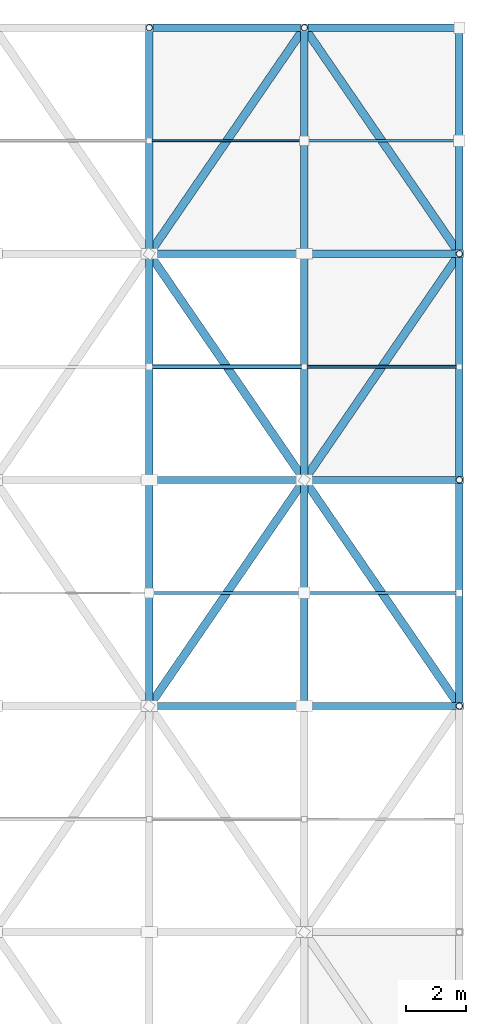
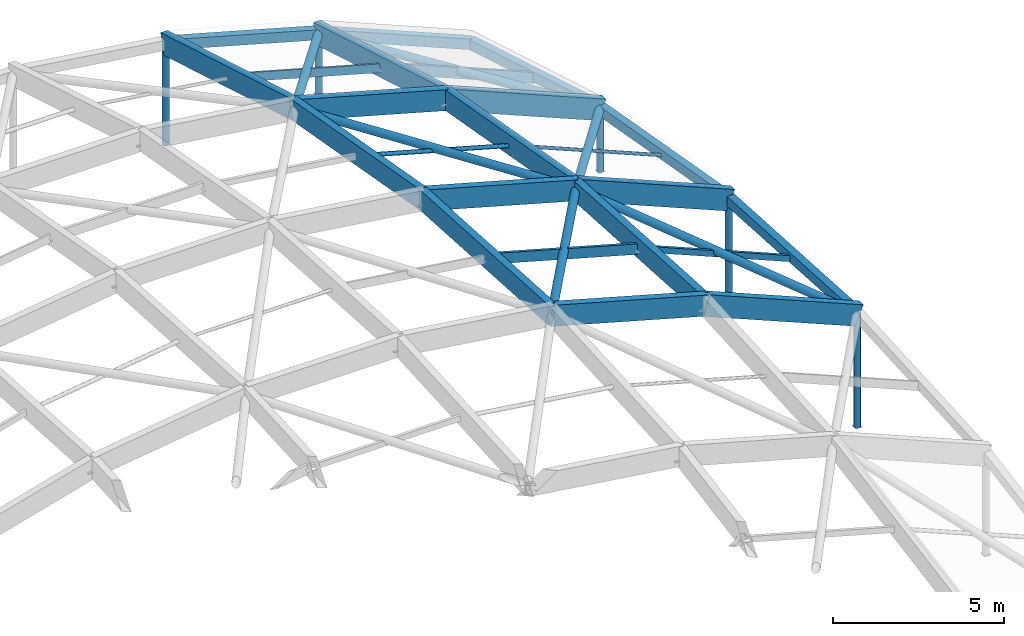
# One storey, part 46 of 81: 34 members.
"""IFC4 building model written with IfcOpenShell, lengths in metres."""

from ifc_helpers import new_model, si_unit, direction, frame, origin, origin_2d, place, context, subcontext, project, spatial, rectangle, hollow_rectangle, hollow_circle, extrude, material, material_profile, profile_set, type_object, element, save


model = new_model("IFC4")

# Units and contexts
model_context = context("Model", 3, precision=1e-05, world=origin(), true_north=direction((0.0, 1.0)))
body_context = subcontext(model_context, "Body", "Model", "MODEL_VIEW")
ifc_project = project(units=[si_unit("LENGTHUNIT", "METRE"), si_unit("AREAUNIT", "SQUARE_METRE"), si_unit("VOLUMEUNIT", "CUBIC_METRE"), si_unit("PLANEANGLEUNIT", "RADIAN"), si_unit("MASSUNIT", "GRAM", prefix="KILO")], contexts=[model_context])

# Site, building, storey
site_placement = place(None, origin())
site = spatial("IfcSite", under=ifc_project, at=site_placement, CompositionType="ELEMENT")
building_placement = place(site_placement, origin())
building = spatial("IfcBuilding", under=site, at=building_placement, Name="Marnridge Secondary College", CompositionType="ELEMENT")
storey_placement = place(building_placement, frame((0.0, 0.0, 8.5)))
storey = spatial("IfcBuildingStorey", under=building, at=storey_placement, Name="L02", CompositionType="ELEMENT", Elevation=8.5)

# Members
ifc_material_1 = material(Name="Cold-formed steel Grade C350L0 (AS/NZS 1163, fy = 350 MPa)", Category="steel")
ifc_material_profile_1 = material_profile(ifc_material_1, hollow_circle(Radius=0.109619140625, WallThickness=0.00830078125, at=origin_2d()), Name="219.1x8.2CHS")
ifc_profile_set_1 = profile_set([ifc_material_profile_1], Name="Cold-formed steel Grade C350L0 (AS/NZS 1163, fy = 350 MPa)")
member_type_1 = type_object("IfcMemberType", Name="MB-GS-CHS219", PredefinedType="BRACE", material=ifc_profile_set_1)
member_1_placement = place(storey_placement, frame((160.71435546875, 120.0, 0.090087890625), z_axis=(0.0, 0.0, 1.0), x_axis=(1.0, 0.0, 0.0)))
element("IfcMember", 1, at=member_1_placement, inside=storey, type_object=member_type_1, Name="Gridshell boundary post GSP-0015", PredefinedType="BRACE", context=body_context, shape_type="SweptSolid", body=[
    extrude(hollow_circle(Radius=0.109619140625, WallThickness=0.00830078125, at=origin_2d()), origin(), (0.0, 0.0, 1.0), 3.621826171875),
])
member_2_placement = place(storey_placement, frame((165.857177734375, 120.0, 0.090087890625), z_axis=(0.0, 0.0, 1.0), x_axis=(1.0, 0.0, 0.0)))
element("IfcMember", 2, at=member_2_placement, inside=storey, type_object=member_type_1, Name="Gridshell boundary post GSP-0017", PredefinedType="BRACE", context=body_context, shape_type="SweptSolid", body=[
    extrude(hollow_circle(Radius=0.109619140625, WallThickness=0.00830078125, at=origin_2d()), origin(), (0.0, 0.0, 1.0), 2.18505859375),
])
member_3_placement = place(storey_placement, frame((171.0, 97.5, 0.090087890625), z_axis=(0.0, 0.0, 1.0), x_axis=(1.0, 0.0, 0.0)))
element("IfcMember", 3, at=member_3_placement, inside=storey, type_object=member_type_1, Name="Gridshell boundary post GSP-0020", PredefinedType="BRACE", context=body_context, shape_type="SweptSolid", body=[
    extrude(hollow_circle(Radius=0.109619140625, WallThickness=0.00830078125, at=origin_2d()), origin(), (0.0, 0.0, 1.0), 4.030029296875),
])
member_4_placement = place(storey_placement, frame((171.0, 105.0, 0.090087890625), z_axis=(0.0, 0.0, 1.0), x_axis=(1.0, 0.0, 0.0)))
element("IfcMember", 4, at=member_4_placement, inside=storey, type_object=member_type_1, Name="Gridshell boundary post GSP-0021", PredefinedType="BRACE", context=body_context, shape_type="SweptSolid", body=[
    extrude(hollow_circle(Radius=0.109619140625, WallThickness=0.00830078125, at=origin_2d()), origin(), (0.0, 0.0, 1.0), 3.58544921875),
])
member_5_placement = place(storey_placement, frame((171.0, 112.5, 0.090087890625), z_axis=(0.0, 0.0, 1.0), x_axis=(1.0, 0.0, 0.0)))
element("IfcMember", 5, at=member_5_placement, inside=storey, type_object=member_type_1, Name="Gridshell boundary post GSP-0022", PredefinedType="BRACE", context=body_context, shape_type="SweptSolid", body=[
    extrude(hollow_circle(Radius=0.109619140625, WallThickness=0.00830078125, at=origin_2d()), origin(), (0.0, 0.0, 1.0), 2.252197265625),
])
ifc_material_2 = material(Name="Cold-formed steel Grade C350L0 (AS/NZS 1163, fy = 350 MPa)", Category="steel")
ifc_material_profile_2 = material_profile(ifc_material_2, hollow_circle(Radius=0.136474609375, WallThickness=0.00927734375, at=origin_2d()), Name="273.1x9.3CHS")
ifc_profile_set_2 = profile_set([ifc_material_profile_2], Name="Cold-formed steel Grade C350L0 (AS/NZS 1163, fy = 350 MPa)")
member_type_2 = type_object("IfcMemberType", Name="MB-GS-CHS273", PredefinedType="BRACE", material=ifc_profile_set_2)
member_6_placement = place(storey_placement, frame((160.71435546875, 97.5, 7.69189453125), z_axis=(0.553801674048, 0.807632918432, -0.20256548296), x_axis=(-0.824730640628, 0.565525746902, 0.0)))
element("IfcMember", 6, at=member_6_placement, inside=storey, type_object=member_type_2, Name="Gridshell member GR-0131", PredefinedType="BRACE", context=body_context, shape_type="SweptSolid", body=[
    extrude(hollow_circle(Radius=0.136474609375, WallThickness=0.00927734375, at=origin_2d()), origin(), (0.0, 0.0, 1.0), 9.286376953125),
])
member_7_placement = place(storey_placement, frame((165.857177734375, 105.0, 5.810791015625), z_axis=(-0.565489284695, 0.824677466215, 0.011355422142), x_axis=(-0.824730640628, -0.565525746902, 0.0)))
element("IfcMember", 7, at=member_7_placement, inside=storey, type_object=member_type_2, Name="Gridshell member GR-0132", PredefinedType="BRACE", context=body_context, shape_type="SweptSolid", body=[
    extrude(hollow_circle(Radius=0.136474609375, WallThickness=0.00927734375, at=origin_2d()), origin(), (0.0, 0.0, 1.0), 9.094482421875),
])
member_8_placement = place(storey_placement, frame((160.71435546875, 112.5, 5.9140625), z_axis=(0.524650977218, 0.765121197253, -0.37327055284), x_axis=(-0.824730640628, 0.565525746902, 0.0)))
element("IfcMember", 8, at=member_8_placement, inside=storey, type_object=member_type_2, Name="Gridshell member GR-0133", PredefinedType="BRACE", context=body_context, shape_type="SweptSolid", body=[
    extrude(hollow_circle(Radius=0.136474609375, WallThickness=0.00927734375, at=origin_2d()), origin(), (0.0, 0.0, 1.0), 9.802490234375),
])
member_9_placement = place(storey_placement, frame((171.0, 97.5, 4.10009765625), z_axis=(-0.555777535128, 0.810514402047, 0.184872214035), x_axis=(-0.824730640628, -0.565525746902, 0.0)))
element("IfcMember", 9, at=member_9_placement, inside=storey, type_object=member_type_2, Name="Gridshell member GR-0137", PredefinedType="BRACE", context=body_context, shape_type="SweptSolid", body=[
    extrude(hollow_circle(Radius=0.136474609375, WallThickness=0.00927734375, at=origin_2d()), origin(), (0.0, 0.0, 1.0), 9.25341796875),
])
member_10_placement = place(storey_placement, frame((165.857177734375, 105.0, 5.810791015625), z_axis=(0.52800818906, 0.770017164392, -0.358163257227), x_axis=(-0.824730640628, 0.565525746902, 0.0)))
element("IfcMember", 10, at=member_10_placement, inside=storey, type_object=member_type_2, Name="Gridshell member GR-0138", PredefinedType="BRACE", context=body_context, shape_type="SweptSolid", body=[
    extrude(hollow_circle(Radius=0.136474609375, WallThickness=0.00927734375, at=origin_2d()), origin(), (0.0, 0.0, 1.0), 9.739990234375),
])
member_11_placement = place(storey_placement, frame((171.0, 112.5, 2.322265625), z_axis=(-0.565510335156, 0.824708165012, -0.007382641451), x_axis=(-0.824730640628, -0.565525746902, 0.0)))
element("IfcMember", 11, at=member_11_placement, inside=storey, type_object=member_type_2, Name="Gridshell member GR-0139", PredefinedType="BRACE", context=body_context, shape_type="SweptSolid", body=[
    extrude(hollow_circle(Radius=0.136474609375, WallThickness=0.00927734375, at=origin_2d()), origin(), (0.0, 0.0, 1.0), 9.09423828125),
])
ifc_material_3 = material(Name="Glulam timber GL18", Category="wood")
ifc_material_profile_3 = material_profile(ifc_material_3, rectangle(XDim=0.239990234375, YDim=0.719970703125, at=origin_2d()), Name="GL18 240x720")
ifc_profile_set_3 = profile_set([ifc_material_profile_3], Name="Glulam timber GL18")
member_type_3 = type_object("IfcMemberType", Name="MB-GS-GL720", PredefinedType="CHORD", material=ifc_profile_set_3)
member_12_placement = place(storey_placement, frame((160.71435546875, 97.5, 7.69189453125), z_axis=(0.0, 0.998247714799, -0.059173472938), x_axis=(-1.0, 0.0, 0.0)))
element("IfcMember", 12, at=member_12_placement, inside=storey, type_object=member_type_3, Name="Gridshell member GR-0034", PredefinedType="CHORD", context=body_context, shape_type="SweptSolid", body=[
    extrude(rectangle(XDim=0.239990234375, YDim=0.719970703125, at=origin_2d()), origin(), (0.0, 0.0, 1.0), 7.51318359375),
])
member_13_placement = place(storey_placement, frame((160.71435546875, 105.0, 7.247314453125), z_axis=(0.0, 0.984564348782, -0.175022978799), x_axis=(-1.0, 0.0, 0.0)))
element("IfcMember", 13, at=member_13_placement, inside=storey, type_object=member_type_3, Name="Gridshell member GR-0035", PredefinedType="CHORD", context=body_context, shape_type="SweptSolid", body=[
    extrude(rectangle(XDim=0.239990234375, YDim=0.719970703125, at=origin_2d()), origin(), (0.0, 0.0, 1.0), 7.61767578125),
])
member_14_placement = place(storey_placement, frame((160.71435546875, 112.5, 5.9140625), z_axis=(0.0, 0.958800001874, -0.28408195368), x_axis=(-1.0, 0.0, 0.0)))
element("IfcMember", 14, at=member_14_placement, inside=storey, type_object=member_type_3, Name="Gridshell member GR-0036", PredefinedType="CHORD", context=body_context, shape_type="SweptSolid", body=[
    extrude(rectangle(XDim=0.239990234375, YDim=0.719970703125, at=origin_2d()), origin(), (0.0, 0.0, 1.0), 7.822265625),
])
member_15_placement = place(storey_placement, frame((165.857177734375, 97.5, 6.255126953125), z_axis=(0.0, 0.998249633752, -0.059141091583), x_axis=(-1.0, 0.0, 0.0)))
element("IfcMember", 15, at=member_15_placement, inside=storey, type_object=member_type_3, Name="Gridshell member GR-0040", PredefinedType="CHORD", context=body_context, shape_type="SweptSolid", body=[
    extrude(rectangle(XDim=0.239990234375, YDim=0.719970703125, at=origin_2d()), origin(), (0.0, 0.0, 1.0), 7.51318359375),
])
member_16_placement = place(storey_placement, frame((165.857177734375, 105.0, 5.810791015625), z_axis=(0.0, 0.984558825488, -0.175054046381), x_axis=(-1.0, 0.0, 0.0)))
element("IfcMember", 16, at=member_16_placement, inside=storey, type_object=member_type_3, Name="Gridshell member GR-0041", PredefinedType="CHORD", context=body_context, shape_type="SweptSolid", body=[
    extrude(rectangle(XDim=0.239990234375, YDim=0.719970703125, at=origin_2d()), origin(), (0.0, 0.0, 1.0), 7.61767578125),
])
member_17_placement = place(storey_placement, frame((165.857177734375, 112.5, 4.477294921875), z_axis=(0.0, 0.958800001874, -0.28408195368), x_axis=(-1.0, 0.0, 0.0)))
element("IfcMember", 17, at=member_17_placement, inside=storey, type_object=member_type_3, Name="Gridshell member GR-0042", PredefinedType="CHORD", context=body_context, shape_type="SweptSolid", body=[
    extrude(rectangle(XDim=0.239990234375, YDim=0.719970703125, at=origin_2d()), origin(), (0.0, 0.0, 1.0), 7.822265625),
])
member_18_placement = place(storey_placement, frame((160.71435546875, 97.5, 7.69189453125), z_axis=(0.963120557911, 0.0, -0.269070234194), x_axis=(0.0, 1.0, 0.0)))
element("IfcMember", 18, at=member_18_placement, inside=storey, type_object=member_type_3, Name="Gridshell member GR-0075", PredefinedType="CHORD", context=body_context, shape_type="SweptSolid", body=[
    extrude(rectangle(XDim=0.239990234375, YDim=0.719970703125, at=origin_2d()), origin(), (0.0, 0.0, 1.0), 5.33984375),
])
member_19_placement = place(storey_placement, frame((165.857177734375, 97.5, 6.255126953125), z_axis=(0.922299118379, 0.0, -0.386476824967), x_axis=(0.0, 1.0, 0.0)))
element("IfcMember", 19, at=member_19_placement, inside=storey, type_object=member_type_3, Name="Gridshell member GR-0076", PredefinedType="CHORD", context=body_context, shape_type="SweptSolid", body=[
    extrude(rectangle(XDim=0.239990234375, YDim=0.719970703125, at=origin_2d()), origin(), (0.0, 0.0, 1.0), 5.576171875),
])
member_20_placement = place(storey_placement, frame((160.71435546875, 105.0, 7.247314453125), z_axis=(0.963132405681, 0.0, -0.269027822218), x_axis=(0.0, 1.0, 0.0)))
element("IfcMember", 20, at=member_20_placement, inside=storey, type_object=member_type_3, Name="Gridshell member GR-0082", PredefinedType="CHORD", context=body_context, shape_type="SweptSolid", body=[
    extrude(rectangle(XDim=0.239990234375, YDim=0.719970703125, at=origin_2d()), origin(), (0.0, 0.0, 1.0), 5.339599609375),
])
member_21_placement = place(storey_placement, frame((165.857177734375, 105.0, 5.810791015625), z_axis=(0.922283511389, 0.0, -0.386514067816), x_axis=(0.0, 1.0, 0.0)))
element("IfcMember", 21, at=member_21_placement, inside=storey, type_object=member_type_3, Name="Gridshell member GR-0083", PredefinedType="CHORD", context=body_context, shape_type="SweptSolid", body=[
    extrude(rectangle(XDim=0.239990234375, YDim=0.719970703125, at=origin_2d()), origin(), (0.0, 0.0, 1.0), 5.576171875),
])
member_22_placement = place(storey_placement, frame((160.71435546875, 112.5, 5.9140625), z_axis=(0.963120557911, 0.0, -0.269070234194), x_axis=(0.0, 1.0, 0.0)))
element("IfcMember", 22, at=member_22_placement, inside=storey, type_object=member_type_3, Name="Gridshell member GR-0089", PredefinedType="CHORD", context=body_context, shape_type="SweptSolid", body=[
    extrude(rectangle(XDim=0.239990234375, YDim=0.719970703125, at=origin_2d()), origin(), (0.0, 0.0, 1.0), 5.33984375),
])
member_23_placement = place(storey_placement, frame((165.857177734375, 112.5, 4.477294921875), z_axis=(0.922299118379, 0.0, -0.386476824967), x_axis=(0.0, 1.0, 0.0)))
element("IfcMember", 23, at=member_23_placement, inside=storey, type_object=member_type_3, Name="Gridshell member GR-0090", PredefinedType="CHORD", context=body_context, shape_type="SweptSolid", body=[
    extrude(rectangle(XDim=0.239990234375, YDim=0.719970703125, at=origin_2d()), origin(), (0.0, 0.0, 1.0), 5.576171875),
])
ifc_material_4 = material(Name="Cold-formed steel Grade C350L0 (AS/NZS 1163, fy = 350 MPa)", Category="steel")
ifc_material_profile_4 = material_profile(ifc_material_4, hollow_rectangle(XDim=0.25, YDim=0.35009765625, WallThickness=0.010009765625, at=origin_2d()), Name="350x250x10.0RHS")
ifc_profile_set_4 = profile_set([ifc_material_profile_4], Name="Cold-formed steel Grade C350L0 (AS/NZS 1163, fy = 350 MPa)")
member_type_4 = type_object("IfcMemberType", Name="MB-GS-RHS350", PredefinedType="CHORD", material=ifc_profile_set_4)
member_24_placement = place(storey_placement, frame((171.0, 97.5, 4.10009765625), z_axis=(0.0, 0.998247714799, -0.059173472938), x_axis=(-1.0, 0.0, 0.0)))
element("IfcMember", 24, at=member_24_placement, inside=storey, type_object=member_type_4, Name="Gridshell member GR-0046", PredefinedType="CHORD", context=body_context, shape_type="SweptSolid", body=[
    extrude(hollow_rectangle(XDim=0.25, YDim=0.35009765625, WallThickness=0.010009765625, at=origin_2d()), origin(), (0.0, 0.0, 1.0), 7.51318359375),
])
member_25_placement = place(storey_placement, frame((171.0, 105.0, 3.655517578125), z_axis=(0.0, 0.984564348782, -0.175022978799), x_axis=(-1.0, 0.0, 0.0)))
element("IfcMember", 25, at=member_25_placement, inside=storey, type_object=member_type_4, Name="Gridshell member GR-0047", PredefinedType="CHORD", context=body_context, shape_type="SweptSolid", body=[
    extrude(hollow_rectangle(XDim=0.25, YDim=0.35009765625, WallThickness=0.010009765625, at=origin_2d()), origin(), (0.0, 0.0, 1.0), 7.61767578125),
])
member_26_placement = place(storey_placement, frame((171.0, 112.5, 2.322265625), z_axis=(0.0, 0.958800001874, -0.28408195368), x_axis=(-1.0, 0.0, 0.0)))
element("IfcMember", 26, at=member_26_placement, inside=storey, type_object=member_type_4, Name="Gridshell member GR-0048", PredefinedType="CHORD", context=body_context, shape_type="SweptSolid", body=[
    extrude(hollow_rectangle(XDim=0.25, YDim=0.35009765625, WallThickness=0.010009765625, at=origin_2d()), origin(), (0.0, 0.0, 1.0), 7.822265625),
])
member_27_placement = place(storey_placement, frame((160.71435546875, 120.0, 3.69189453125), z_axis=(0.963120557911, 0.0, -0.269070234194), x_axis=(0.0, 1.0, 0.0)))
element("IfcMember", 27, at=member_27_placement, inside=storey, type_object=member_type_4, Name="Gridshell member GR-0096", PredefinedType="CHORD", context=body_context, shape_type="SweptSolid", body=[
    extrude(hollow_rectangle(XDim=0.25, YDim=0.35009765625, WallThickness=0.010009765625, at=origin_2d()), origin(), (0.0, 0.0, 1.0), 5.33984375),
])
member_28_placement = place(storey_placement, frame((165.857177734375, 120.0, 2.255126953125), z_axis=(0.922299118379, 0.0, -0.386476824967), x_axis=(0.0, 1.0, 0.0)))
element("IfcMember", 28, at=member_28_placement, inside=storey, type_object=member_type_4, Name="Gridshell member GR-0097", PredefinedType="CHORD", context=body_context, shape_type="SweptSolid", body=[
    extrude(hollow_rectangle(XDim=0.25, YDim=0.35009765625, WallThickness=0.010009765625, at=origin_2d()), origin(), (0.0, 0.0, 1.0), 5.576171875),
])
ifc_material_5 = material(Name="Cold-formed steel Grade C350L0 (AS/NZS 1163, fy = 350 MPa)", Category="steel")
ifc_material_profile_5 = material_profile(ifc_material_5, hollow_circle(Radius=0.05712890625, WallThickness=0.00439453125, at=origin_2d()), Name="114.3x4.5CHS")
ifc_profile_set_5 = profile_set([ifc_material_profile_5], Name="Cold-formed steel Grade C350L0 (AS/NZS 1163, fy = 350 MPa)")
member_type_5 = type_object("IfcMemberType", Name="MB-PR-CHS114", PredefinedType="PURLIN", material=ifc_profile_set_5)
member_29_placement = place(storey_placement, frame((165.857177734375, 108.75, 5.06396484375), z_axis=(0.922299118379, 0.0, -0.386476824967), x_axis=(0.0, 1.0, 0.0)))
element("IfcMember", 29, at=member_29_placement, inside=storey, type_object=member_type_5, Name="Gridshell purlin PR-0063", PredefinedType="PURLIN", context=body_context, shape_type="SweptSolid", body=[
    extrude(hollow_circle(Radius=0.05712890625, WallThickness=0.00439453125, at=origin_2d()), origin(), (0.0, 0.0, 1.0), 5.576171875),
])
ifc_material_6 = material(Name="Cold-formed steel Grade C350L0 (AS/NZS 1163, fy = 350 MPa)", Category="steel")
ifc_material_profile_6 = material_profile(ifc_material_6, hollow_circle(Radius=0.06982421875, WallThickness=0.00537109375, at=origin_2d()), Name="139.7x5.4CHS")
ifc_profile_set_6 = profile_set([ifc_material_profile_6], Name="Cold-formed steel Grade C350L0 (AS/NZS 1163, fy = 350 MPa)")
member_type_6 = type_object("IfcMemberType", Name="MB-PR-CHS139", PredefinedType="PURLIN", material=ifc_profile_set_6)
member_30_placement = place(storey_placement, frame((160.71435546875, 108.75, 6.500732421875), z_axis=(0.963120557911, 0.0, -0.269070234194), x_axis=(0.0, 1.0, 0.0)))
element("IfcMember", 30, at=member_30_placement, inside=storey, type_object=member_type_6, Name="Gridshell purlin PR-0057", PredefinedType="PURLIN", context=body_context, shape_type="SweptSolid", body=[
    extrude(hollow_circle(Radius=0.06982421875, WallThickness=0.00537109375, at=origin_2d()), origin(), (0.0, 0.0, 1.0), 5.33984375),
])
ifc_material_7 = material(Name="Engineered timber LVL E13.2", Category="wood")
ifc_material_profile_7 = material_profile(ifc_material_7, rectangle(XDim=0.06298828125, YDim=0.300048828125, at=origin_2d()), Name="LVL 63x300")
ifc_profile_set_7 = profile_set([ifc_material_profile_7], Name="Engineered timber LVL E13.2")
member_type_7 = type_object("IfcMemberType", Name="MB-PR-LVL300", PredefinedType="PURLIN", material=ifc_profile_set_7)
member_31_placement = place(storey_placement, frame((160.71435546875, 116.25, 4.722900390625), z_axis=(0.963120557911, 0.0, -0.269070234194), x_axis=(0.0, 1.0, 0.0)))
element("IfcMember", 31, at=member_31_placement, inside=storey, type_object=member_type_7, Name="Gridshell purlin PR-0058", PredefinedType="PURLIN", context=body_context, shape_type="SweptSolid", body=[
    extrude(rectangle(XDim=0.06298828125, YDim=0.300048828125, at=origin_2d()), origin(), (0.0, 0.0, 1.0), 5.33984375),
])
ifc_material_8 = material(Name="Engineered timber LVL E13.2", Category="wood")
ifc_material_profile_8 = material_profile(ifc_material_8, rectangle(XDim=0.090087890625, YDim=0.360107421875, at=origin_2d()), Name="LVL 90x360")
ifc_profile_set_8 = profile_set([ifc_material_profile_8], Name="Engineered timber LVL E13.2")
member_type_8 = type_object("IfcMemberType", Name="MB-PR-LVL360", PredefinedType="PURLIN", material=ifc_profile_set_8)
member_32_placement = place(storey_placement, frame((160.71435546875, 101.25, 7.3896484375), z_axis=(0.963120557911, 0.0, -0.269070234194), x_axis=(0.0, 1.0, 0.0)))
element("IfcMember", 32, at=member_32_placement, inside=storey, type_object=member_type_8, Name="Gridshell purlin PR-0056", PredefinedType="PURLIN", context=body_context, shape_type="SweptSolid", body=[
    extrude(rectangle(XDim=0.090087890625, YDim=0.360107421875, at=origin_2d()), origin(), (0.0, 0.0, 1.0), 5.33984375),
])
member_33_placement = place(storey_placement, frame((165.857177734375, 116.25, 3.2861328125), z_axis=(0.922299118379, 0.0, -0.386476824967), x_axis=(0.0, 1.0, 0.0)))
element("IfcMember", 33, at=member_33_placement, inside=storey, type_object=member_type_8, Name="Gridshell purlin PR-0064", PredefinedType="PURLIN", context=body_context, shape_type="SweptSolid", body=[
    extrude(rectangle(XDim=0.090087890625, YDim=0.360107421875, at=origin_2d()), origin(), (0.0, 0.0, 1.0), 5.576171875),
])
ifc_material_9 = material(Name="Cold-formed steel Grade C350L0 (AS/NZS 1163, fy = 350 MPa)", Category="steel")
ifc_material_profile_9 = material_profile(ifc_material_9, hollow_rectangle(XDim=0.10009765625, YDim=0.199951171875, WallThickness=0.006103515625, at=origin_2d()), Name="200x100x6.0RHS")
ifc_profile_set_9 = profile_set([ifc_material_profile_9], Name="Cold-formed steel Grade C350L0 (AS/NZS 1163, fy = 350 MPa)")
member_type_9 = type_object("IfcMemberType", Name="MB-PR-RHS200", PredefinedType="PURLIN", material=ifc_profile_set_9)
member_34_placement = place(storey_placement, frame((165.857177734375, 101.25, 5.952880859375), z_axis=(0.922299118379, 0.0, -0.386476824967), x_axis=(0.0, 1.0, 0.0)))
element("IfcMember", 34, at=member_34_placement, inside=storey, type_object=member_type_9, Name="Gridshell purlin PR-0062", PredefinedType="PURLIN", context=body_context, shape_type="SweptSolid", body=[
    extrude(hollow_rectangle(XDim=0.10009765625, YDim=0.199951171875, WallThickness=0.006103515625, at=origin_2d()), origin(), (0.0, 0.0, 1.0), 5.576171875),
])

save(model, "model.ifc")
